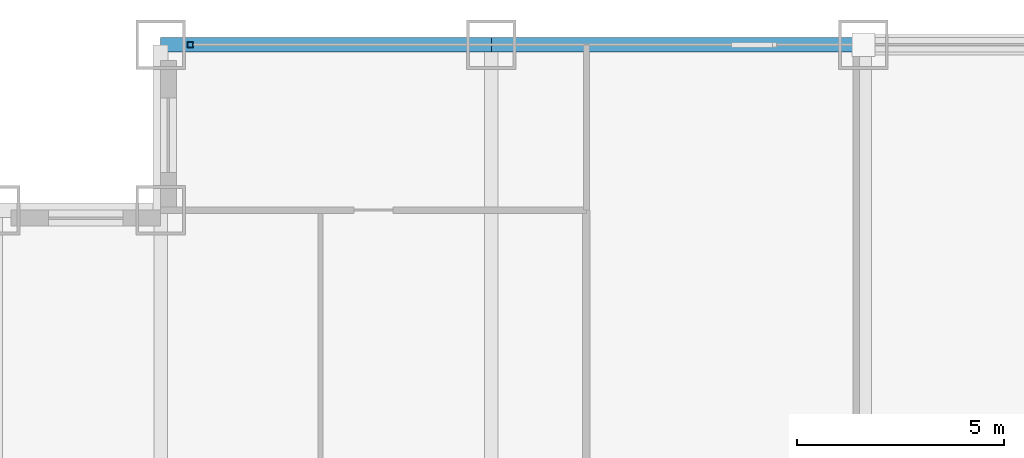
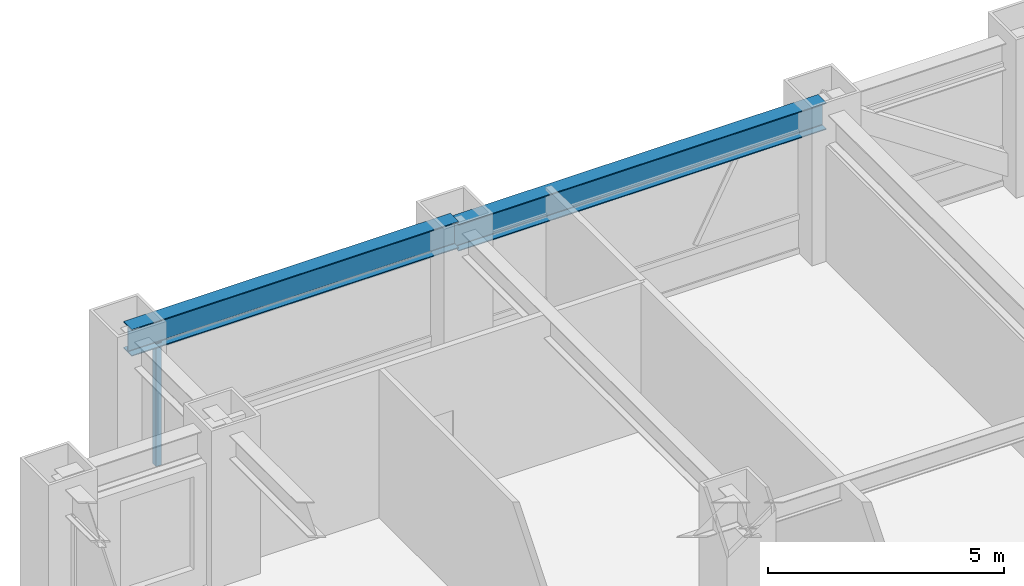
# One storey, part 17 of 27: 2 beams, 1 member, 1 element without a shape of its own.
"""IFC4 building model written with IfcOpenShell, lengths in metres."""

import ifcopenshell
import ifcopenshell.guid

model = None  # the IFC model being written
_history = None  # IfcOwnerHistory: only IFC2X3 demands one
_inside = {}  # id of a spatial element -> (the spatial element, [elements in it])
_under = {}  # id of a project, library or spatial element -> (it, [spatial elements below it])
_declared = {}  # id of a project -> (the project, [libraries it declares])
_typed = {}  # id of a type object -> (the type object, [elements of that type])
_made_of = {}  # id of a material, layer set ... -> (it, [elements and type objects made of it])


def new_model(schema):
    """Start an empty IFC model of exactly this schema.

    Asked for "IFC4X3", IfcOpenShell would pick the latest addendum, in which some entities
    have other attributes; the version numbers below select the first issue.
    IFC2X3 requires an IfcOwnerHistory on every rooted entity: one is made here for all.
    """
    global model, _history
    if schema == "IFC4X3":
        model = ifcopenshell.file(schema_version=(4, 3, 0, 0))
    else:
        model = ifcopenshell.file(schema=schema)
    _inside.clear()
    _under.clear()
    _declared.clear()
    _typed.clear()
    _made_of.clear()
    _history = None
    if model.schema == "IFC2X3":
        org = make("IfcOrganization", Name="unknown")
        user = make(
            "IfcPersonAndOrganization",
            ThePerson=make("IfcPerson", FamilyName="unknown"),
            TheOrganization=org,
        )
        app = make(
            "IfcApplication",
            ApplicationDeveloper=org,
            Version="unknown",
            ApplicationFullName="unknown",
            ApplicationIdentifier="unknown",
        )
        _history = make(
            "IfcOwnerHistory",
            OwningUser=user,
            OwningApplication=app,
            ChangeAction="ADDED",
            CreationDate=0,
        )
    return model


def make(cls, **values):
    """One entity of the class cls with the attributes given. An attribute that is None is left unset."""
    return model.create_entity(
        cls, **{name: value for name, value in values.items() if value is not None}
    )


def rooted(cls, **values):
    """An entity with a GlobalId (a new one), such as an element, a storey or a relation."""
    return make(cls, GlobalId=ifcopenshell.guid.new(), OwnerHistory=_history, **values)


def si_unit(unit_type, name, prefix=None):
    """IfcSIUnit, for example si_unit("LENGTHUNIT", "METRE", prefix="MILLI")."""
    return make("IfcSIUnit", UnitType=unit_type, Prefix=prefix, Name=name)


def assignment(units):
    """IfcUnitAssignment: the units of a project."""
    return None if units is None else make("IfcUnitAssignment", Units=units)


def point(xyz):
    """IfcCartesianPoint."""
    return None if xyz is None else make("IfcCartesianPoint", Coordinates=xyz)


def direction(xyz):
    """IfcDirection."""
    return None if xyz is None else make("IfcDirection", DirectionRatios=xyz)


def frame(location, z_axis=None, x_axis=None):
    """IfcAxis2Placement3D, a coordinate frame: its origin and axes. An axis left out is left unset."""
    return make(
        "IfcAxis2Placement3D",
        Location=point(location),
        Axis=direction(z_axis),
        RefDirection=direction(x_axis),
    )


def frame_2d(location, x_axis=None):
    """IfcAxis2Placement2D, a coordinate frame in the plane: its origin and x axis."""
    return make(
        "IfcAxis2Placement2D", Location=point(location), RefDirection=direction(x_axis)
    )


def origin():
    """The frame at (0, 0, 0) with its axes left unset."""
    return frame((0.0, 0.0, 0.0))


def origin_2d():
    """The frame at (0, 0) in the plane with its x axis left unset."""
    return frame_2d((0.0, 0.0))


def place(relative_to, where):
    """IfcLocalPlacement: puts the frame where relative to a parent placement (None: the world)."""
    return make(
        "IfcLocalPlacement", PlacementRelTo=relative_to, RelativePlacement=where
    )


def context(
    kind, dimensions, precision=None, world=None, true_north=None, identifier=None
):
    """IfcGeometricRepresentationContext, for example the 3D "Model" context."""
    return make(
        "IfcGeometricRepresentationContext",
        ContextIdentifier=identifier,
        ContextType=kind,
        CoordinateSpaceDimension=dimensions,
        Precision=precision,
        WorldCoordinateSystem=world,
        TrueNorth=true_north,
    )


def subcontext(parent, identifier, kind, view, scale=None):
    """IfcGeometricRepresentationSubContext, for example "Body" below "Model"."""
    return make(
        "IfcGeometricRepresentationSubContext",
        ContextIdentifier=identifier,
        ContextType=kind,
        ParentContext=parent,
        TargetScale=scale,
        TargetView=view,
    )


def project(units=None, contexts=None):
    """IfcProject with its units and contexts."""
    return rooted(
        "IfcProject",
        Name="project",
        RepresentationContexts=contexts,
        UnitsInContext=assignment(units),
    )


def spatial(cls, under=None, at=None, **own):
    """A site, building, storey or space (cls), placed at a placement, below another one or the project."""
    s = rooted(cls, ObjectPlacement=at, **own)
    if under is not None:
        _under.setdefault(under.id(), (under, []))[1].append(s)
    return s


def profile(cls, at=None, kind="AREA", **sizes):
    """A parametric profile (cls). Its sizes go by their IFC names, for example OverallWidth=200.0."""
    return make(cls, ProfileType=kind, Position=at, **sizes)


def hollow_rectangle(**sizes):
    """IfcRectangleHollowProfileDef."""
    return profile("IfcRectangleHollowProfileDef", **sizes)


def i_section(**sizes):
    """IfcIShapeProfileDef."""
    return profile("IfcIShapeProfileDef", **sizes)


def extrude(swept, where, along, depth):
    """IfcExtrudedAreaSolid: the profile swept, set in the frame where, extruded along a direction by depth."""
    return make(
        "IfcExtrudedAreaSolid",
        SweptArea=swept,
        Position=where,
        ExtrudedDirection=direction(along),
        Depth=depth,
    )


def shape(context_of_items, identifier, shape_type, items):
    """IfcShapeRepresentation: the items that make up one representation, for example the "Body"."""
    return make(
        "IfcShapeRepresentation",
        ContextOfItems=context_of_items,
        RepresentationIdentifier=identifier,
        RepresentationType=shape_type,
        Items=items,
    )


def source(mapping_origin, context_of_items, identifier, shape_type, items):
    """IfcRepresentationMap: a shape defined once, which mapped items show again and again."""
    return make(
        "IfcRepresentationMap",
        MappingOrigin=mapping_origin,
        MappedRepresentation=shape(context_of_items, identifier, shape_type, items),
    )


def transform(
    local_origin,
    x_axis=None,
    y_axis=None,
    z_axis=None,
    scale=None,
    scale2=None,
    scale3=None,
    uniform=True,
):
    """IfcCartesianTransformationOperator3D, or its non-uniform kind. x_axis, y_axis, z_axis: its Axis1, 2, 3."""
    if uniform:
        return make(
            "IfcCartesianTransformationOperator3D",
            Axis1=direction(x_axis),
            Axis2=direction(y_axis),
            LocalOrigin=point(local_origin),
            Scale=scale,
            Axis3=direction(z_axis),
        )
    return make(
        "IfcCartesianTransformationOperator3DnonUniform",
        Axis1=direction(x_axis),
        Axis2=direction(y_axis),
        LocalOrigin=point(local_origin),
        Scale=scale,
        Axis3=direction(z_axis),
        Scale2=scale2,
        Scale3=scale3,
    )


def mapped(mapping_source, mapping_target):
    """IfcMappedItem: shows the shape of a source again, moved by a transform."""
    return make(
        "IfcMappedItem", MappingSource=mapping_source, MappingTarget=mapping_target
    )


def material(Name=None, Category=None):
    """IfcMaterial."""
    return make("IfcMaterial", Name=Name, Category=Category)


def material_profile(
    of_material, cross_section, Name=None, Category=None, Priority=None
):
    """IfcMaterialProfile: a cross section and its material."""
    return make(
        "IfcMaterialProfile",
        Name=Name,
        Material=of_material,
        Profile=cross_section,
        Priority=Priority,
        Category=Category,
    )


def profile_set(profiles, Name=None, composite=None):
    """IfcMaterialProfileSet."""
    return make(
        "IfcMaterialProfileSet",
        Name=Name,
        MaterialProfiles=profiles,
        CompositeProfile=composite,
    )


def made_of(thing, what):
    """Note that an element or type object is made of a material, layer set ...; save() writes the relation."""
    if what is not None:
        _made_of.setdefault(what.id(), (what, []))[1].append(thing)
    return thing


def type_object(cls, material=None, **own):
    """A type object (cls), such as IfcWallType, which elements share."""
    return made_of(rooted(cls, **own), material)


def element(
    cls,
    number,
    at=None,
    inside=None,
    cuts=None,
    type_object=None,
    material=None,
    context=None,
    identifier="Body",
    shape_type=None,
    held_by="IfcProductDefinitionShape",
    body=None,
    shapes=None,
    **own,
):
    """One element of the class cls, such as IfcWall. Its Tag is "e" and its number.

    at: its placement. inside: the storey or other place that contains it. cuts: it is an
    opening in that element (IfcRelVoidsElement). A single representation is given by context,
    identifier, shape_type and body (its items); several are given by shapes. held_by: the class
    of the entity that holds the representations. save() writes the other relations.
    """
    e = rooted(cls, Tag="e%d" % number, ObjectPlacement=at, **own)
    if body is not None:
        shapes = [shape(context, identifier, shape_type, body)]
    if shapes is not None:
        e.Representation = make(held_by, Representations=shapes)
    if inside is not None:
        _inside.setdefault(inside.id(), (inside, []))[1].append(e)
    if cuts is not None:
        rooted(
            "IfcRelVoidsElement", RelatingBuildingElement=cuts, RelatedOpeningElement=e
        )
    if type_object is not None:
        _typed.setdefault(type_object.id(), (type_object, []))[1].append(e)
    return made_of(e, material)


def aggregate(whole, parts):
    """IfcRelAggregates: a whole, such as a stair, and the parts it consists of."""
    return rooted("IfcRelAggregates", RelatingObject=whole, RelatedObjects=parts)


def save(model, path):
    """Write the relations noted so far, then the file.

    IfcRelAggregates (storeys below a building ...), IfcRelContainedInSpatialStructure (elements
    in a storey), IfcRelDefinesByType, IfcRelAssociatesMaterial and IfcRelDeclares: one each for
    every whole, place, type object, material and project.
    """
    for whole, parts in _under.values():
        aggregate(whole, parts)
    for where, things in _inside.values():
        rooted(
            "IfcRelContainedInSpatialStructure",
            RelatedElements=things,
            RelatingStructure=where,
        )
    for kind, things in _typed.values():
        rooted("IfcRelDefinesByType", RelatedObjects=things, RelatingType=kind)
    for what, things in _made_of.values():
        rooted("IfcRelAssociatesMaterial", RelatedObjects=things, RelatingMaterial=what)
    for by, libraries in _declared.values():
        rooted("IfcRelDeclares", RelatingContext=by, RelatedDefinitions=libraries)
    model.write(path)


model = new_model("IFC4")

# Units and contexts
model_context = context("Model", 3, precision=1e-05, world=origin(), true_north=direction((0.0, 1.0)))
body_context = subcontext(model_context, "Body", "Model", "MODEL_VIEW")
ifc_project = project(units=[si_unit("LENGTHUNIT", "METRE"), si_unit("AREAUNIT", "SQUARE_METRE"), si_unit("VOLUMEUNIT", "CUBIC_METRE"), si_unit("PLANEANGLEUNIT", "RADIAN"), si_unit("MASSUNIT", "GRAM", prefix="KILO")], contexts=[model_context])

# Site, building, storey
site_placement = place(None, origin())
site = spatial("IfcSite", under=ifc_project, at=site_placement, CompositionType="ELEMENT")
building_placement = place(site_placement, origin())
building = spatial("IfcBuilding", under=site, at=building_placement, Name="Khorayat Bourse Tower", CompositionType="ELEMENT")
storey_placement = place(building_placement, frame((0.0, 0.0, 140.60009765625)))
storey = spatial("IfcBuildingStorey", under=building, at=storey_placement, Name="L32", CompositionType="ELEMENT", Elevation=140.60009765625)

# Beams
ifc_material_1 = material(Name="Steel ASTM A992 Grade 50", Category="steel")
ifc_material_profile_1 = material_profile(ifc_material_1, i_section(OverallWidth=0.35498046875, OverallDepth=0.695068359375, WebThickness=0.015380859375, FlangeThickness=0.02490234375, FilletRadius=0.01806640625, at=origin_2d()), Name="W690X217")
ifc_profile_set_1 = profile_set([ifc_material_profile_1], Name="Steel ASTM A992 Grade 50")
beam_type = type_object("IfcBeamType", Name="BM-SPAN-690", PredefinedType="SPANDREL", material=ifc_profile_set_1)
shared_shape_1 = source(origin(), body_context, "Body", "SweptSolid", [
    extrude(i_section(OverallWidth=0.35498046875, OverallDepth=0.695068359375, WebThickness=0.015380859375, FlangeThickness=0.02490234375, FilletRadius=0.01806640625, at=origin_2d()), origin(), (0.0, 0.0, 1.0), 9.0),
])
beam_1_placement = place(storey_placement, frame((-20.0, 32.0, 3.412353515625), z_axis=(1.0, 0.0, 0.0), x_axis=(0.0, 1.0, 0.0)))
element("IfcBeam", 1, at=beam_1_placement, inside=storey, type_object=beam_type, Name="L32 BM-SPAN-690 BM-L32-SPN-050", PredefinedType="SPANDREL", context=body_context, shape_type="MappedRepresentation", body=[
    mapped(shared_shape_1, transform((0.0, 0.0, 0.0), scale=1.0)),
])
shared_shape_2 = source(origin(), body_context, "Body", "SweptSolid", [
    extrude(i_section(OverallWidth=0.35498046875, OverallDepth=0.695068359375, WebThickness=0.015380859375, FlangeThickness=0.02490234375, FilletRadius=0.01806640625, at=origin_2d()), origin(), (0.0, 0.0, 1.0), 8.0),
])
beam_2_placement = place(storey_placement, frame((-28.0, 32.0, 3.492431640625), z_axis=(1.0, 0.0, 0.0), x_axis=(0.0, 1.0, 0.0)))
element("IfcBeam", 2, at=beam_2_placement, inside=storey, type_object=beam_type, Name="L32 BM-SPAN-690 BM-L32-SPN-051", PredefinedType="SPANDREL", context=body_context, shape_type="MappedRepresentation", body=[
    mapped(shared_shape_2, transform((0.0, 0.0, 0.0), scale=1.0)),
])

# Curtain wall, member
ifc_material_2 = material(Name="Aluminium EN AW-6063 T6", Category="aluminium")
curtain_wall_type = type_object("IfcCurtainWallType", Name="CW-SYS-02", PredefinedType="NOTDEFINED", material=ifc_material_2)
curtain_wall_placement = place(storey_placement, origin())
curtain_wall = element("IfcCurtainWall", 3, at=curtain_wall_placement, inside=storey, type_object=curtain_wall_type, Name="L32 Curtain Wall CW-L32-N1", PredefinedType="NOTDEFINED")
ifc_material_profile_2 = material_profile(ifc_material_2, hollow_rectangle(XDim=0.139892578125, YDim=0.139892578125, WallThickness=0.006103515625, at=origin_2d()), Name="ALU 140x140x6")
ifc_profile_set_2 = profile_set([ifc_material_profile_2], Name="Aluminium EN AW-6063 T6")
member_type = type_object("IfcMemberType", Name="CWM-VERT-140", PredefinedType="MULLION", material=ifc_profile_set_2)
shared_shape_3 = source(origin(), body_context, "Body", "SweptSolid", [
    extrude(hollow_rectangle(XDim=0.139892578125, YDim=0.139892578125, WallThickness=0.006103515625, at=origin_2d()), origin(), (0.0, 0.0, 1.0), 3.18994140625),
])
member_placement = place(storey_placement, frame((-27.280029296875, 32.0, 0.0), z_axis=(0.0, 0.0, 1.0), x_axis=(0.0, 1.0, 0.0)))
member = element("IfcMember", 4, at=member_placement, type_object=member_type, Name="CW-L32-N1 Vertical Mullion 1", PredefinedType="MULLION", context=body_context, shape_type="MappedRepresentation", body=[
    mapped(shared_shape_3, transform((0.0, 0.0, 0.0), scale=1.0)),
])
aggregate(curtain_wall, [member])

save(model, "model.ifc")
